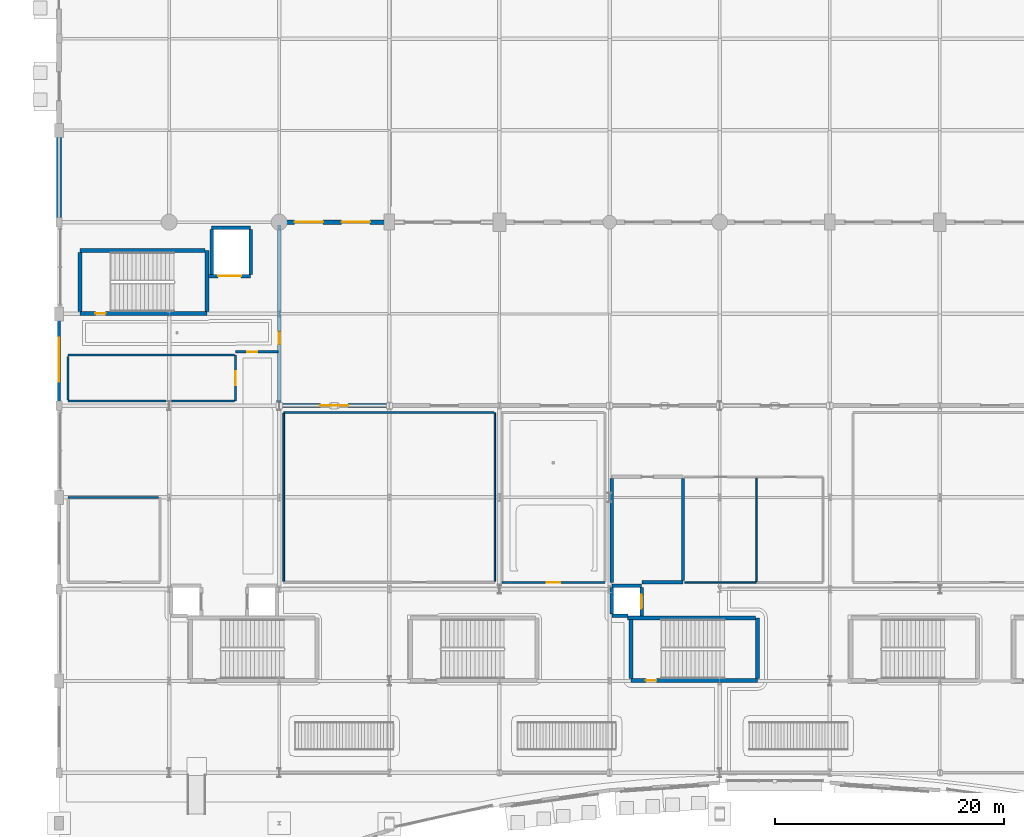
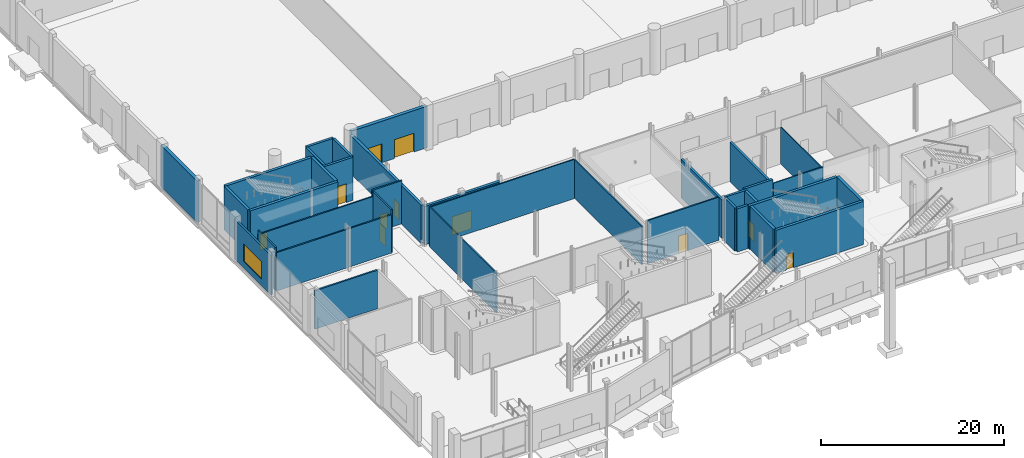
# One storey, part 73 of 124: 36 walls, 11 doors, 1 window, 12 openings.
"""IFC4 building model written with IfcOpenShell, lengths in metres."""

from ifc_helpers import new_model, si_unit, direction, frame, frame_2d, origin, place, context, subcontext, project, spatial, rectangle, extrude, material, layer, layer_set, type_object, element, fill, save


model = new_model("IFC4")

# Units and contexts
model_context = context("Model", 3, precision=1e-05, world=origin(), true_north=direction((0.0, 1.0)))
body_context = subcontext(model_context, "Body", "Model", "MODEL_VIEW")
ifc_project = project(units=[si_unit("LENGTHUNIT", "METRE"), si_unit("AREAUNIT", "SQUARE_METRE"), si_unit("VOLUMEUNIT", "CUBIC_METRE"), si_unit("PLANEANGLEUNIT", "RADIAN"), si_unit("MASSUNIT", "GRAM", prefix="KILO")], contexts=[model_context])

# Site, building, storey
site_placement = place(None, origin())
site = spatial("IfcSite", under=ifc_project, at=site_placement, CompositionType="ELEMENT")
building_placement = place(site_placement, origin())
building = spatial("IfcBuilding", under=site, at=building_placement, Name="Danafjord Basin Convention Centre", CompositionType="ELEMENT")
storey_placement = place(building_placement, origin())
storey = spatial("IfcBuildingStorey", under=building, at=storey_placement, Name="L00", CompositionType="ELEMENT", Elevation=0.0)

# Walls
ifc_material_1 = material(Name="Concrete C40/50", Category="concrete")
ifc_layer_1 = layer(ifc_material_1, 0.300048828125)
ifc_layer_set_1 = layer_set([ifc_layer_1], Name="Concrete C40/50")
wall_type_1 = type_object("IfcWallType", Name="WALL-CW-CORE300", PredefinedType="SHEAR", material=ifc_layer_set_1)
wall_1_placement = place(storey_placement, frame((50.800048828125, 24.300048828125, 0.0), z_axis=(0.0, 0.0, 1.0), x_axis=(-1.0, 0.0, 0.0)))
element("IfcWall", 1, at=wall_1_placement, inside=storey, type_object=wall_type_1, Name="Lift LF-P03 shaft shear wall", PredefinedType="SHEAR", context=body_context, shape_type="SweptSolid", body=[
    extrude(rectangle(XDim=2.60009765625, YDim=0.300048828125, at=frame_2d((1.300048828125, 0.0))), origin(), (0.0, 0.0, 1.0), 5.77001953125),
])
wall_2_placement = place(storey_placement, frame((48.199951171875, 21.699951171875, 0.0), z_axis=(0.0, 0.0, 1.0), x_axis=(1.0, 0.0, 0.0)))
element("IfcWall", 2, at=wall_2_placement, inside=storey, type_object=wall_type_1, Name="Lift LF-P03 shaft shear wall", PredefinedType="SHEAR", context=body_context, shape_type="SweptSolid", body=[
    extrude(rectangle(XDim=1.400146484375, YDim=0.300048828125, at=frame_2d((0.7001953125, 0.0))), origin(), (0.0, 0.0, 1.0), 5.77001953125),
])

# Wall, opening, door
wall_3_placement = place(storey_placement, frame((50.800048828125, 21.6650390625, 0.0), z_axis=(0.0, 0.0, 1.0), x_axis=(0.0, 1.0, 0.0)))
wall_3 = element("IfcWall", 3, at=wall_3_placement, inside=storey, type_object=wall_type_1, Name="Lift LF-P03 shaft shear wall", PredefinedType="SHEAR", context=body_context, shape_type="SweptSolid", body=[
    extrude(rectangle(XDim=2.5, YDim=0.300048828125, at=frame_2d((1.25, 0.0))), origin(), (0.0, 0.0, 1.0), 5.77001953125),
])
opening_1_placement = place(wall_3_placement, frame((0.64990234375, 0.0, 0.0)))
opening_1 = element("IfcOpeningElement", 4, at=opening_1_placement, cuts=wall_3, Name="Opening LD-P01", PredefinedType="OPENING", context=body_context, shape_type="SweptSolid", body=[
    extrude(rectangle(XDim=1.199951171875, YDim=2.199951171875, at=frame_2d((0.60009765625, 1.10009765625))), frame((0.0, 0.159912109375, 0.0), z_axis=(0.0, -1.0, 0.0), x_axis=(1.0, 0.0, 0.0)), (0.0, 0.0, 1.0), 0.320068359375),
])
ifc_material_2 = material(Name="Brushed stainless steel and acoustic laminated glass", Category="steel")
door_type_1 = type_object("IfcDoorType", Name="DOOR-LD-P01", OperationType="DOUBLE_DOOR_SLIDING", PredefinedType="DOOR", material=ifc_material_2)
door_1_placement = place(opening_1_placement, origin())
door_1 = element("IfcDoor", 5, at=door_1_placement, inside=storey, type_object=door_type_1, Name="Lift LF-P03 L00 Landing Door", OperationType="DOUBLE_DOOR_SLIDING", OverallHeight=2.199951171875, OverallWidth=1.199951171875, PredefinedType="DOOR", context=body_context, shape_type="SweptSolid", body=[
    extrude(rectangle(XDim=1.199951171875, YDim=2.199951171875, at=frame_2d((0.60009765625, 1.10009765625))), frame((0.0, 0.02490234375, 0.0), z_axis=(0.0, -1.0, 0.0), x_axis=(1.0, 0.0, 0.0)), (0.0, 0.0, 1.0), 0.050048828125),
])
fill(opening_1, door_1)

# Walls
wall_4_placement = place(storey_placement, frame((48.199951171875, 24.1650390625, 0.0), z_axis=(0.0, 0.0, 1.0), x_axis=(0.0, -1.0, 0.0)))
element("IfcWall", 6, at=wall_4_placement, inside=storey, type_object=wall_type_1, Name="Lift LF-P03 shaft shear wall", PredefinedType="SHEAR", context=body_context, shape_type="SweptSolid", body=[
    extrude(rectangle(XDim=2.330078125, YDim=0.300048828125, at=frame_2d((1.1650390625, 0.0))), origin(), (0.0, 0.0, 1.0), 5.77001953125),
])
wall_5_placement = place(storey_placement, frame((16.699951171875, 55.5, 0.0), z_axis=(0.0, 0.0, 1.0), x_axis=(-1.0, 0.0, 0.0)))
element("IfcWall", 7, at=wall_5_placement, inside=storey, type_object=wall_type_1, Name="Lift LF-G01 shaft shear wall", PredefinedType="SHEAR", context=body_context, shape_type="SweptSolid", body=[
    extrude(rectangle(XDim=3.39990234375, YDim=0.300048828125, at=frame_2d((1.699951171875, 0.0))), origin(), (0.0, 0.0, 1.0), 5.77001953125),
])

# Wall, opening, door
wall_6_placement = place(storey_placement, frame((13.044921875, 51.300048828125, 0.0), z_axis=(0.0, 0.0, 1.0), x_axis=(1.0, 0.0, 0.0)))
wall_6 = element("IfcWall", 8, at=wall_6_placement, inside=storey, type_object=wall_type_1, Name="Lift LF-G01 shaft shear wall", PredefinedType="SHEAR", context=body_context, shape_type="SweptSolid", body=[
    extrude(rectangle(XDim=3.655029296875, YDim=0.300048828125, at=frame_2d((1.82763671875, 0.0))), origin(), (0.0, 0.0, 1.0), 5.77001953125),
])
opening_2_placement = place(wall_6_placement, frame((0.826904296875, 0.0, 0.0)))
opening_2 = element("IfcOpeningElement", 9, at=opening_2_placement, cuts=wall_6, Name="Opening LD-G01", PredefinedType="OPENING", context=body_context, shape_type="SweptSolid", body=[
    extrude(rectangle(XDim=2.0, YDim=2.5, at=frame_2d((1.0, 1.25))), frame((0.0, 0.159912109375, 0.0), z_axis=(0.0, -1.0, 0.0), x_axis=(1.0, 0.0, 0.0)), (0.0, 0.0, 1.0), 0.320068359375),
])
door_type_2 = type_object("IfcDoorType", Name="DOOR-LD-G01", OperationType="DOUBLE_DOOR_SLIDING", PredefinedType="DOOR", material=ifc_material_2)
door_2_placement = place(opening_2_placement, origin())
door_2 = element("IfcDoor", 10, at=door_2_placement, inside=storey, type_object=door_type_2, Name="Lift LF-G01 L00 Landing Door", OperationType="DOUBLE_DOOR_SLIDING", OverallHeight=2.5, OverallWidth=2.0, PredefinedType="DOOR", context=body_context, shape_type="SweptSolid", body=[
    extrude(rectangle(XDim=2.0, YDim=2.5, at=frame_2d((1.0, 1.25))), frame((0.0, 0.02490234375, 0.0), z_axis=(0.0, -1.0, 0.0), x_axis=(1.0, 0.0, 0.0)), (0.0, 0.0, 1.0), 0.050048828125),
])
fill(opening_2, door_2)

# Walls
for number, where, z_axis, x_axis, name in (
    (11, (16.699951171875, 51.43505859375, 0.0), (0.0, 0.0, 1.0), (0.0, 1.0, 0.0), "Lift LF-G01 shaft shear wall"),
    (12, (13.300048828125, 55.364990234375, 0.0), (0.0, 0.0, 1.0), (0.0, -1.0, 0.0), "Lift LF-G01 shaft shear wall"),
):
    element("IfcWall", number, at=place(storey_placement, frame(where, z_axis=z_axis, x_axis=x_axis)), inside=storey, type_object=wall_type_1, Name=name, PredefinedType="SHEAR", context=body_context, shape_type="SweptSolid", body=[
        extrude(rectangle(XDim=3.929931640625, YDim=0.300048828125, at=frame_2d((1.96484375, 0.0))), origin(), (0.0, 0.0, 1.0), 5.77001953125),
    ])

# Wall, opening, door
ifc_material_3 = material(Name="Concrete C45/55", Category="concrete")
ifc_layer_2 = layer(ifc_material_3, 0.35009765625)
ifc_layer_set_2 = layer_set([ifc_layer_2], Name="Concrete C45/55")
wall_type_2 = type_object("IfcWallType", Name="WALL-CW-CORE350", PredefinedType="SHEAR", material=ifc_layer_set_2)
wall_7_placement = place(storey_placement, frame((60.889892578125, 16.050048828125, 0.0), z_axis=(0.0, 0.0, 1.0), x_axis=(-1.0, 0.0, 0.0)))
wall_7 = element("IfcWall", 13, at=wall_7_placement, inside=storey, type_object=wall_type_2, Name="Mid-Arc Meeting Core Stair 1 core shear wall (south)", PredefinedType="SHEAR", context=body_context, shape_type="SweptSolid", body=[
    extrude(rectangle(XDim=11.039794921875, YDim=0.35009765625, at=frame_2d((5.52001953125, 0.0))), origin(), (0.0, 0.0, 1.0), 5.77001953125),
])
opening_3_placement = place(wall_7_placement, frame((8.818115234375, 0.0, 0.0)))
opening_3 = element("IfcOpeningElement", 14, at=opening_3_placement, cuts=wall_7, Name="Opening FD-S01", PredefinedType="OPENING", context=body_context, shape_type="SweptSolid", body=[
    extrude(rectangle(XDim=0.909912109375, YDim=2.080078125, at=frame_2d((0.455078125, 1.0400390625))), frame((0.0, 0.18505859375, 0.0), z_axis=(0.0, -1.0, 0.0), x_axis=(1.0, 0.0, 0.0)), (0.0, 0.0, 1.0), 0.3701171875),
])
ifc_material_4 = material(Name="Powder-coated steel and Nordic oak", Category="steel")
door_type_3 = type_object("IfcDoorType", Name="DOOR-FD-S01", OperationType="NOTDEFINED", PredefinedType="DOOR", material=ifc_material_4)
door_3_placement = place(opening_3_placement, origin())
door_3 = element("IfcDoor", 15, at=door_3_placement, inside=storey, type_object=door_type_3, Name="Mid-Arc Meeting Core Stair 1 L00 Fire Exit Door", OperationType="SINGLE_SWING_RIGHT", OverallHeight=2.080078125, OverallWidth=0.909912109375, PredefinedType="DOOR", context=body_context, shape_type="SweptSolid", body=[
    extrude(rectangle(XDim=0.909912109375, YDim=2.080078125, at=frame_2d((0.455078125, 1.0400390625))), frame((0.0, 0.02490234375, 0.0), z_axis=(0.0, -1.0, 0.0), x_axis=(1.0, 0.0, 0.0)), (0.0, 0.0, 1.0), 0.050048828125),
])
fill(opening_3, door_3)

# Walls
wall_8_placement = place(storey_placement, frame((60.889892578125, 21.510009765625, 0.0), z_axis=(0.0, 0.0, 1.0), x_axis=(0.0, -1.0, 0.0)))
element("IfcWall", 16, at=wall_8_placement, inside=storey, type_object=wall_type_2, Name="Mid-Arc Meeting Core Stair 1 core shear wall (east)", PredefinedType="SHEAR", context=body_context, shape_type="SweptSolid", body=[
    extrude(rectangle(XDim=5.300048828125, YDim=0.35009765625, at=frame_2d((2.64990234375, 0.0))), origin(), (0.0, 0.0, 1.0), 5.77001953125),
])
wall_9_placement = place(storey_placement, frame((49.580078125, 21.510009765625, 0.0), z_axis=(0.0, 0.0, 1.0), x_axis=(1.0, 0.0, 0.0)))
element("IfcWall", 17, at=wall_9_placement, inside=storey, type_object=wall_type_2, Name="Mid-Arc Meeting Core Stair 1 core shear wall (north)", PredefinedType="SHEAR", context=body_context, shape_type="SweptSolid", body=[
    extrude(rectangle(XDim=11.14990234375, YDim=0.35009765625, at=frame_2d((5.574951171875, 0.0))), origin(), (0.0, 0.0, 1.0), 5.77001953125),
])
wall_10_placement = place(storey_placement, frame((49.85009765625, 16.2099609375, 0.0), z_axis=(0.0, 0.0, 1.0), x_axis=(0.0, 1.0, 0.0)))
element("IfcWall", 18, at=wall_10_placement, inside=storey, type_object=wall_type_2, Name="Mid-Arc Meeting Core Stair 1 core shear wall (west)", PredefinedType="SHEAR", context=body_context, shape_type="SweptSolid", body=[
    extrude(rectangle(XDim=5.14013671875, YDim=0.35009765625, at=frame_2d((2.570068359375, 0.0))), origin(), (0.0, 0.0, 1.0), 5.77001953125),
])

# Wall, opening, door
wall_11_placement = place(storey_placement, frame((12.889892578125, 48.050048828125, 0.0), z_axis=(0.0, 0.0, 1.0), x_axis=(-1.0, 0.0, 0.0)))
wall_11 = element("IfcWall", 19, at=wall_11_placement, inside=storey, type_object=wall_type_2, Name="West Exhibition Core Stair 1 core shear wall (south)", PredefinedType="SHEAR", context=body_context, shape_type="SweptSolid", body=[
    extrude(rectangle(XDim=11.039794921875, YDim=0.35009765625, at=frame_2d((5.52001953125, 0.0))), origin(), (0.0, 0.0, 1.0), 5.77001953125),
])
opening_4_placement = place(wall_11_placement, frame((8.818115234375, 0.0, 0.0)))
opening_4 = element("IfcOpeningElement", 20, at=opening_4_placement, cuts=wall_11, Name="Opening FD-S01", PredefinedType="OPENING", context=body_context, shape_type="SweptSolid", body=[
    extrude(rectangle(XDim=0.909912109375, YDim=2.080078125, at=frame_2d((0.455078125, 1.0400390625))), frame((0.0, 0.18505859375, 0.0), z_axis=(0.0, -1.0, 0.0), x_axis=(1.0, 0.0, 0.0)), (0.0, 0.0, 1.0), 0.3701171875),
])
door_4_placement = place(opening_4_placement, origin())
door_4 = element("IfcDoor", 21, at=door_4_placement, inside=storey, type_object=door_type_3, Name="West Exhibition Core Stair 1 L00 Fire Exit Door", OperationType="SINGLE_SWING_RIGHT", OverallHeight=2.080078125, OverallWidth=0.909912109375, PredefinedType="DOOR", context=body_context, shape_type="SweptSolid", body=[
    extrude(rectangle(XDim=0.909912109375, YDim=2.080078125, at=frame_2d((0.455078125, 1.0400390625))), frame((0.0, 0.02490234375, 0.0), z_axis=(0.0, -1.0, 0.0), x_axis=(1.0, 0.0, 0.0)), (0.0, 0.0, 1.0), 0.050048828125),
])
fill(opening_4, door_4)

# Walls
wall_12_placement = place(storey_placement, frame((12.889892578125, 53.510009765625, 0.0), z_axis=(0.0, 0.0, 1.0), x_axis=(0.0, -1.0, 0.0)))
element("IfcWall", 22, at=wall_12_placement, inside=storey, type_object=wall_type_2, Name="West Exhibition Core Stair 1 core shear wall (east)", PredefinedType="SHEAR", context=body_context, shape_type="SweptSolid", body=[
    extrude(rectangle(XDim=5.300048828125, YDim=0.35009765625, at=frame_2d((2.64990234375, 0.0))), origin(), (0.0, 0.0, 1.0), 5.77001953125),
])
wall_13_placement = place(storey_placement, frame((1.85009765625, 53.510009765625, 0.0), z_axis=(0.0, 0.0, 1.0), x_axis=(1.0, 0.0, 0.0)))
element("IfcWall", 23, at=wall_13_placement, inside=storey, type_object=wall_type_2, Name="West Exhibition Core Stair 1 core shear wall (north)", PredefinedType="SHEAR", context=body_context, shape_type="SweptSolid", body=[
    extrude(rectangle(XDim=10.8798828125, YDim=0.35009765625, at=frame_2d((5.43994140625, 0.0))), origin(), (0.0, 0.0, 1.0), 5.77001953125),
])
wall_14_placement = place(storey_placement, frame((1.85009765625, 48.2099609375, 0.0), z_axis=(0.0, 0.0, 1.0), x_axis=(0.0, 1.0, 0.0)))
element("IfcWall", 24, at=wall_14_placement, inside=storey, type_object=wall_type_2, Name="West Exhibition Core Stair 1 core shear wall (west)", PredefinedType="SHEAR", context=body_context, shape_type="SweptSolid", body=[
    extrude(rectangle(XDim=5.14013671875, YDim=0.35009765625, at=frame_2d((2.570068359375, 0.0))), origin(), (0.0, 0.0, 1.0), 5.77001953125),
])

# Wall, opening, door
ifc_material_5 = material(Name="Precast concrete C40/50", Category="concrete")
ifc_layer_3 = layer(ifc_material_5, 0.340087890625)
ifc_layer_set_3 = layer_set([ifc_layer_3], Name="Precast concrete C40/50")
wall_type_3 = type_object("IfcWallType", Name="WALL-EW-PC340", PredefinedType="SOLIDWALL", material=ifc_layer_set_3)
wall_15_placement = place(storey_placement, frame((19.199951171875, 40.0, 0.0), z_axis=(0.0, 0.0, 1.0), x_axis=(1.0, 0.0, 0.0)))
wall_15 = element("IfcWall", 25, at=wall_15_placement, inside=storey, type_object=wall_type_3, Name="L00 courtyard north facade wall", PredefinedType="SOLIDWALL", context=body_context, shape_type="SweptSolid", body=[
    extrude(rectangle(XDim=9.60009765625, YDim=0.340087890625, at=frame_2d((4.800048828125, 0.0))), origin(), (0.0, 0.0, 1.0), 5.139892578125),
])
opening_5_placement = place(wall_15_placement, frame((3.590087890625, 0.0, 0.0)))
opening_5 = element("IfcOpeningElement", 26, at=opening_5_placement, cuts=wall_15, Name="Opening ED-03", PredefinedType="OPENING", context=body_context, shape_type="SweptSolid", body=[
    extrude(rectangle(XDim=2.419921875, YDim=2.4599609375, at=frame_2d((1.2099609375, 1.22998046875))), frame((0.0, 0.179931640625, 0.0), z_axis=(0.0, -1.0, 0.0), x_axis=(1.0, 0.0, 0.0)), (0.0, 0.0, 1.0), 0.360107421875),
])
ifc_material_6 = material(Name="Thermally broken anodised aluminium and steel", Category="steel")
door_type_4 = type_object("IfcDoorType", Name="DOOR-ED-03", OperationType="DOUBLE_DOOR_SINGLE_SWING", PredefinedType="DOOR", material=ifc_material_6)
door_5_placement = place(opening_5_placement, origin())
door_5 = element("IfcDoor", 27, at=door_5_placement, inside=storey, type_object=door_type_4, Name="Courtyard Concourse Exit Door", OperationType="DOUBLE_DOOR_SINGLE_SWING", OverallHeight=2.4599609375, OverallWidth=2.419921875, PredefinedType="DOOR", context=body_context, shape_type="SweptSolid", body=[
    extrude(rectangle(XDim=2.419921875, YDim=2.4599609375, at=frame_2d((1.2099609375, 1.22998046875))), frame((0.0, 0.02490234375, 0.0), z_axis=(0.0, -1.0, 0.0), x_axis=(1.0, 0.0, 0.0)), (0.0, 0.0, 1.0), 0.050048828125),
])
fill(opening_5, door_5)

wall_16_placement = place(storey_placement, frame((19.199951171875, 55.75, 0.0), z_axis=(0.0, 0.0, 1.0), x_axis=(0.0, -1.0, 0.0)))
wall_16 = element("IfcWall", 28, at=wall_16_placement, inside=storey, type_object=wall_type_3, Name="L00 west courtyard facade exit wall", PredefinedType="SOLIDWALL", context=body_context, shape_type="SweptSolid", body=[
    extrude(rectangle(XDim=15.5, YDim=0.340087890625, at=frame_2d((7.75, 0.0))), origin(), (0.0, 0.0, 1.0), 5.139892578125),
])
opening_6_placement = place(wall_16_placement, frame((9.304931640625, 0.0, 0.0)))
opening_6 = element("IfcOpeningElement", 29, at=opening_6_placement, cuts=wall_16, Name="Opening ED-06", PredefinedType="OPENING", context=body_context, shape_type="SweptSolid", body=[
    extrude(rectangle(XDim=1.090087890625, YDim=2.219970703125, at=frame_2d((0.544921875, 1.10986328125))), frame((0.0, 0.179931640625, 0.0), z_axis=(0.0, -1.0, 0.0), x_axis=(1.0, 0.0, 0.0)), (0.0, 0.0, 1.0), 0.360107421875),
])
door_type_5 = type_object("IfcDoorType", Name="DOOR-ED-06", OperationType="SINGLE_SWING_LEFT", PredefinedType="DOOR", material=ifc_material_6)
door_6_placement = place(opening_6_placement, origin())
door_6 = element("IfcDoor", 30, at=door_6_placement, inside=storey, type_object=door_type_5, Name="West Core Stair Final Exit Door", OperationType="SINGLE_SWING_LEFT", OverallHeight=2.219970703125, OverallWidth=1.090087890625, PredefinedType="DOOR", context=body_context, shape_type="SweptSolid", body=[
    extrude(rectangle(XDim=1.090087890625, YDim=2.219970703125, at=frame_2d((0.544921875, 1.10986328125))), frame((0.0, 0.02490234375, 0.0), z_axis=(0.0, -1.0, 0.0), x_axis=(1.0, 0.0, 0.0)), (0.0, 0.0, 1.0), 0.050048828125),
])
fill(opening_6, door_6)

# Wall, openings, doors
ifc_material_7 = material(Name="Precast concrete C45/55", Category="concrete")
ifc_layer_4 = layer(ifc_material_7, 0.419921875)
ifc_layer_set_4 = layer_set([ifc_layer_4], Name="Precast concrete C45/55")
wall_type_4 = type_object("IfcWallType", Name="WALL-EW-PC420", PredefinedType="SOLIDWALL", material=ifc_layer_set_4)
wall_17_placement = place(storey_placement, frame((19.199951171875, 56.0, 0.0), z_axis=(0.0, 0.0, 1.0), x_axis=(1.0, 0.0, 0.0)))
wall_17 = element("IfcWall", 31, at=wall_17_placement, inside=storey, type_object=wall_type_4, Name="Exhibition hall S acoustic precast wall bay 3", PredefinedType="SOLIDWALL", context=body_context, shape_type="SweptSolid", body=[
    extrude(rectangle(XDim=9.60009765625, YDim=0.419921875, at=frame_2d((4.800048828125, 0.0))), origin(), (0.0, 0.0, 1.0), 5.550048828125),
])
opening_7_placement = place(wall_17_placement, frame((1.35009765625, 0.0, 0.0)))
opening_7 = element("IfcOpeningElement", 32, at=opening_7_placement, cuts=wall_17, Name="Opening ED-02", PredefinedType="OPENING", context=body_context, shape_type="SweptSolid", body=[
    extrude(rectangle(XDim=2.47998046875, YDim=2.52001953125, at=frame_2d((1.239990234375, 1.260009765625))), frame((0.0, 0.219970703125, 0.0), z_axis=(0.0, -1.0, 0.0), x_axis=(1.0, 0.0, 0.0)), (0.0, 0.0, 1.0), 0.43994140625),
])
opening_8_placement = place(wall_17_placement, frame((5.449951171875, 0.0, 0.0)))
opening_8 = element("IfcOpeningElement", 33, at=opening_8_placement, cuts=wall_17, Name="Opening ED-02", PredefinedType="OPENING", context=body_context, shape_type="SweptSolid", body=[
    extrude(rectangle(XDim=2.47998046875, YDim=2.52001953125, at=frame_2d((1.239990234375, 1.260009765625))), frame((0.0, 0.219970703125, 0.0), z_axis=(0.0, -1.0, 0.0), x_axis=(1.0, 0.0, 0.0)), (0.0, 0.0, 1.0), 0.43994140625),
])
door_type_6 = type_object("IfcDoorType", Name="DOOR-ED-02", OperationType="DOUBLE_DOOR_SINGLE_SWING", PredefinedType="DOOR", material=ifc_material_6)
door_7_placement = place(opening_7_placement, origin())
door_7 = element("IfcDoor", 34, at=door_7_placement, inside=storey, type_object=door_type_6, Name="Exhibition Hall Exit Door EX-04", OperationType="DOUBLE_DOOR_SINGLE_SWING", OverallHeight=2.52001953125, OverallWidth=2.47998046875, PredefinedType="DOOR", context=body_context, shape_type="SweptSolid", body=[
    extrude(rectangle(XDim=2.47998046875, YDim=2.52001953125, at=frame_2d((1.239990234375, 1.260009765625))), frame((0.0, 0.02490234375, 0.0), z_axis=(0.0, -1.0, 0.0), x_axis=(1.0, 0.0, 0.0)), (0.0, 0.0, 1.0), 0.050048828125),
])
fill(opening_7, door_7)
door_8_placement = place(opening_8_placement, origin())
door_8 = element("IfcDoor", 35, at=door_8_placement, inside=storey, type_object=door_type_6, Name="Exhibition Hall Exit Door EX-05", OperationType="DOUBLE_DOOR_SINGLE_SWING", OverallHeight=2.52001953125, OverallWidth=2.47998046875, PredefinedType="DOOR", context=body_context, shape_type="SweptSolid", body=[
    extrude(rectangle(XDim=2.47998046875, YDim=2.52001953125, at=frame_2d((1.239990234375, 1.260009765625))), frame((0.0, 0.02490234375, 0.0), z_axis=(0.0, -1.0, 0.0), x_axis=(1.0, 0.0, 0.0)), (0.0, 0.0, 1.0), 0.050048828125),
])
fill(opening_8, door_8)

# Wall
wall_18_placement = place(storey_placement, frame((0.0, 56.0, 0.0), z_axis=(0.0, 0.0, 1.0), x_axis=(0.0, 1.0, 0.0)))
element("IfcWall", 36, at=wall_18_placement, inside=storey, type_object=wall_type_4, Name="Exhibition hall W precast wall bay 1", PredefinedType="SOLIDWALL", context=body_context, shape_type="SweptSolid", body=[
    extrude(rectangle(XDim=8.0, YDim=0.419921875, at=frame_2d((4.0, 0.0))), origin(), (0.0, 0.0, 1.0), 5.550048828125),
])

# Wall, opening, window
ifc_material_8 = material(Name="Concrete C35/45", Category="concrete")
ifc_layer_5 = layer(ifc_material_8, 0.260009765625)
ifc_layer_set_5 = layer_set([ifc_layer_5], Name="Concrete C35/45")
wall_type_5 = type_object("IfcWallType", Name="WALL-EW-STD260", PredefinedType="STANDARD", material=ifc_layer_set_5)
wall_19_placement = place(storey_placement, frame((0.0, 40.0, 0.0), z_axis=(0.0, 0.0, 1.0), x_axis=(0.0, 1.0, 0.0)))
wall_19 = element("IfcWall", 37, at=wall_19_placement, inside=storey, type_object=wall_type_5, Name="L00 W wing facade wall", PredefinedType="STANDARD", context=body_context, shape_type="SweptSolid", body=[
    extrude(rectangle(XDim=8.0, YDim=0.260009765625, at=frame_2d((4.0, 0.0))), origin(), (0.0, 0.0, 1.0), 5.2900390625),
])
opening_9_placement = place(wall_19_placement, frame((2.074951171875, 0.0, 0.89990234375)))
opening_9 = element("IfcOpeningElement", 38, at=opening_9_placement, cuts=wall_19, Name="Opening WN-14", PredefinedType="OPENING", context=body_context, shape_type="SweptSolid", body=[
    extrude(rectangle(XDim=3.85009765625, YDim=2.35009765625, at=frame_2d((1.925048828125, 1.175048828125))), frame((0.0, 0.139892578125, 0.0), z_axis=(0.0, -1.0, 0.0), x_axis=(1.0, 0.0, 0.0)), (0.0, 0.0, 1.0), 0.280029296875),
])
ifc_material_9 = material(Name="Thermally broken aluminium and triple low-E glass", Category="aluminium")
window_type = type_object("IfcWindowType", Name="WIN-WN-14", PartitioningType="SINGLE_PANEL", PredefinedType="WINDOW", material=ifc_material_9)
window_placement = place(opening_9_placement, origin())
window = element("IfcWindow", 39, at=window_placement, inside=storey, type_object=window_type, Name="L00 W window WN-14", OverallHeight=2.35009765625, OverallWidth=3.85009765625, PartitioningType="SINGLE_PANEL", PredefinedType="WINDOW", context=body_context, shape_type="SweptSolid", body=[
    extrude(rectangle(XDim=3.85009765625, YDim=2.35009765625, at=frame_2d((1.925048828125, 1.175048828125))), frame((0.0, 0.030029296875, 0.0), z_axis=(0.0, -1.0, 0.0), x_axis=(1.0, 0.0, 0.0)), (0.0, 0.0, 1.0), 0.06005859375),
])
fill(opening_9, window)

# Wall, opening, door
ifc_material_10 = material(Name="Acoustic double-board gypsum stud partition")
ifc_layer_6 = layer(ifc_material_10, 0.175048828125)
ifc_layer_set_6 = layer_set([ifc_layer_6], Name="Acoustic double-board gypsum stud partition")
wall_type_6 = type_object("IfcWallType", Name="WALL-PT-AC175", PredefinedType="PARTITIONING", material=ifc_layer_set_6)
wall_20_placement = place(storey_placement, frame((38.60009765625, 24.60009765625, 0.0), z_axis=(0.0, 0.0, 1.0), x_axis=(1.0, 0.0, 0.0)))
wall_20 = element("IfcWall", 40, at=wall_20_placement, inside=storey, type_object=wall_type_6, Name="Harbour Seminar Hall M01 south partition", PredefinedType="PARTITIONING", context=body_context, shape_type="SweptSolid", body=[
    extrude(rectangle(XDim=9.0, YDim=0.175048828125, at=frame_2d((4.5, 0.0))), origin(), (0.0, 0.0, 1.0), 5.77001953125),
])
opening_10_placement = place(wall_20_placement, frame((3.919921875, 0.0, 0.0)))
opening_10 = element("IfcOpeningElement", 41, at=opening_10_placement, cuts=wall_20, Name="Opening FD-S17", PredefinedType="OPENING", context=body_context, shape_type="SweptSolid", body=[
    extrude(rectangle(XDim=1.159912109375, YDim=2.320068359375, at=frame_2d((0.580078125, 1.16015625))), frame((0.0, 0.097412109375, 0.0), z_axis=(0.0, -1.0, 0.0), x_axis=(1.0, 0.0, 0.0)), (0.0, 0.0, 1.0), 0.195068359375),
])
door_type_7 = type_object("IfcDoorType", Name="DOOR-FD-S17", OperationType="NOTDEFINED", PredefinedType="DOOR", material=ifc_material_4)
door_9_placement = place(opening_10_placement, origin())
door_9 = element("IfcDoor", 42, at=door_9_placement, inside=storey, type_object=door_type_7, Name="Harbour Seminar Hall M01 Entrance Door", OperationType="SINGLE_SWING_LEFT", OverallHeight=2.320068359375, OverallWidth=1.159912109375, PredefinedType="DOOR", context=body_context, shape_type="SweptSolid", body=[
    extrude(rectangle(XDim=1.159912109375, YDim=2.320068359375, at=frame_2d((0.580078125, 1.16015625))), frame((0.0, 0.02490234375, 0.0), z_axis=(0.0, -1.0, 0.0), x_axis=(1.0, 0.0, 0.0)), (0.0, 0.0, 1.0), 0.050048828125),
])
fill(opening_10, door_9)

wall_21_placement = place(storey_placement, frame((15.39990234375, 40.39990234375, 0.0), z_axis=(0.0, 0.0, 1.0), x_axis=(0.0, 1.0, 0.0)))
wall_21 = element("IfcWall", 43, at=wall_21_placement, inside=storey, type_object=wall_type_6, Name="West Courtyard Seminar Room M03 east partition", PredefinedType="PARTITIONING", context=body_context, shape_type="SweptSolid", body=[
    extrude(rectangle(XDim=4.0, YDim=0.175048828125, at=frame_2d((2.0, 0.0))), origin(), (0.0, 0.0, 1.0), 5.77001953125),
])
opening_11_placement = place(wall_21_placement, frame((1.375, 0.0, 0.0)))
opening_11 = element("IfcOpeningElement", 44, at=opening_11_placement, cuts=wall_21, Name="Opening FD-S20", PredefinedType="OPENING", context=body_context, shape_type="SweptSolid", body=[
    extrude(rectangle(XDim=1.25, YDim=2.3798828125, at=frame_2d((0.625, 1.18994140625))), frame((0.0, 0.097412109375, 0.0), z_axis=(0.0, -1.0, 0.0), x_axis=(1.0, 0.0, 0.0)), (0.0, 0.0, 1.0), 0.195068359375),
])
door_type_8 = type_object("IfcDoorType", Name="DOOR-FD-S20", OperationType="NOTDEFINED", PredefinedType="DOOR", material=ifc_material_4)
door_10_placement = place(opening_11_placement, origin())
door_10 = element("IfcDoor", 45, at=door_10_placement, inside=storey, type_object=door_type_8, Name="West Courtyard Seminar Room M03 Entrance Door", OperationType="SINGLE_SWING_RIGHT", OverallHeight=2.3798828125, OverallWidth=1.25, PredefinedType="DOOR", context=body_context, shape_type="SweptSolid", body=[
    extrude(rectangle(XDim=1.25, YDim=2.3798828125, at=frame_2d((0.625, 1.18994140625))), frame((0.0, 0.02490234375, 0.0), z_axis=(0.0, -1.0, 0.0), x_axis=(1.0, 0.0, 0.0)), (0.0, 0.0, 1.0), 0.050048828125),
])
fill(opening_11, door_10)

# Walls
for number, where, z_axis, x_axis, name in (
    (46, (0.800048828125, 40.39990234375, 0.0), (0.0, 0.0, 1.0), (1.0, 0.0, 0.0), "West Courtyard Seminar Room M03 south partition"),
    (47, (15.30859375, 44.39990234375, 0.0), (0.0, 0.0, 1.0), (-1.0, 0.0, 0.0), "West Courtyard Seminar Room M03 north partition"),
):
    element("IfcWall", number, at=place(storey_placement, frame(where, z_axis=z_axis, x_axis=x_axis)), inside=storey, type_object=wall_type_6, Name=name, PredefinedType="PARTITIONING", context=body_context, shape_type="SweptSolid", body=[
        extrude(rectangle(XDim=14.508544921875, YDim=0.175048828125, at=frame_2d((7.25439453125, 0.0))), origin(), (0.0, 0.0, 1.0), 5.139892578125),
    ])
wall_22_placement = place(storey_placement, frame((0.800048828125, 44.30859375, 0.0), z_axis=(0.0, 0.0, 1.0), x_axis=(0.0, -1.0, 0.0)))
element("IfcWall", 48, at=wall_22_placement, inside=storey, type_object=wall_type_6, Name="West Courtyard Seminar Room M03 west partition", PredefinedType="PARTITIONING", context=body_context, shape_type="SweptSolid", body=[
    extrude(rectangle(XDim=3.817138671875, YDim=0.175048828125, at=frame_2d((1.90869140625, 0.0))), origin(), (0.0, 0.0, 1.0), 5.77001953125),
])
ifc_material_11 = material(Name="Sanitary service-chase stud wall")
ifc_layer_7 = layer(ifc_material_11, 0.284912109375)
ifc_layer_set_7 = layer_set([ifc_layer_7], Name="Sanitary service-chase stud wall")
wall_type_7 = type_object("IfcWallType", Name="WALL-PT-PLB285", PredefinedType="PLUMBINGWALL", material=ifc_layer_set_7)
wall_23_placement = place(storey_placement, frame((50.80810546875, 24.60009765625, 0.0), z_axis=(0.0, 0.0, 1.0), x_axis=(1.0, 0.0, 0.0)))
element("IfcWall", 49, at=wall_23_placement, inside=storey, type_object=wall_type_7, Name="Ground Concourse Male Toilet south partition", PredefinedType="PLUMBINGWALL", context=body_context, shape_type="SweptSolid", body=[
    extrude(rectangle(XDim=3.591796875, YDim=0.284912109375, at=frame_2d((1.7958984375, 0.0))), origin(), (0.0, 0.0, 1.0), 5.77001953125),
])
wall_24_placement = place(storey_placement, frame((54.39990234375, 24.74658203125, 0.0), z_axis=(0.0, 0.0, 1.0), x_axis=(0.0, 1.0, 0.0)))
element("IfcWall", 50, at=wall_24_placement, inside=storey, type_object=wall_type_7, Name="Ground Concourse Male Toilet east partition", PredefinedType="PLUMBINGWALL", context=body_context, shape_type="SweptSolid", body=[
    extrude(rectangle(XDim=8.906982421875, YDim=0.284912109375, at=frame_2d((4.45361328125, 0.0))), origin(), (0.0, 0.0, 1.0), 5.239990234375),
])
wall_25_placement = place(storey_placement, frame((48.199951171875, 33.653564453125, 0.0), z_axis=(0.0, 0.0, 1.0), x_axis=(0.0, -1.0, 0.0)))
element("IfcWall", 51, at=wall_25_placement, inside=storey, type_object=wall_type_7, Name="Ground Concourse Male Toilet west partition", PredefinedType="PLUMBINGWALL", context=body_context, shape_type="SweptSolid", body=[
    extrude(rectangle(XDim=9.053466796875, YDim=0.284912109375, at=frame_2d((4.52685546875, 0.0))), origin(), (0.0, 0.0, 1.0), 5.139892578125),
])
ifc_material_12 = material(Name="Moisture-resistant gypsum stud partition")
ifc_layer_8 = layer(ifc_material_12, 0.1201171875)
ifc_layer_set_8 = layer_set([ifc_layer_8], Name="Moisture-resistant gypsum stud partition")
wall_type_8 = type_object("IfcWallType", Name="WALL-PT-ST120", PredefinedType="PARTITIONING", material=ifc_layer_set_8)
wall_26_placement = place(storey_placement, frame((54.54638671875, 24.60009765625, 0.0), z_axis=(0.0, 0.0, 1.0), x_axis=(1.0, 0.0, 0.0)))
element("IfcWall", 52, at=wall_26_placement, inside=storey, type_object=wall_type_8, Name="Ground Concourse Female Toilet south partition", PredefinedType="PARTITIONING", context=body_context, shape_type="SweptSolid", body=[
    extrude(rectangle(XDim=6.253662109375, YDim=0.1201171875, at=frame_2d((3.126953125, 0.0))), origin(), (0.0, 0.0, 1.0), 5.18994140625),
])
wall_27_placement = place(storey_placement, frame((60.800048828125, 24.6640625, 0.0), z_axis=(0.0, 0.0, 1.0), x_axis=(0.0, 1.0, 0.0)))
element("IfcWall", 53, at=wall_27_placement, inside=storey, type_object=wall_type_8, Name="Ground Concourse Female Toilet east partition", PredefinedType="PARTITIONING", context=body_context, shape_type="SweptSolid", body=[
    extrude(rectangle(XDim=9.072021484375, YDim=0.1201171875, at=frame_2d((4.5361328125, 0.0))), origin(), (0.0, 0.0, 1.0), 4.93994140625),
])
ifc_material_13 = material(Name="Fire-rated gypsum metal-stud partition")
ifc_layer_9 = layer(ifc_material_13, 0.14990234375)
ifc_layer_set_9 = layer_set([ifc_layer_9], Name="Fire-rated gypsum metal-stud partition")
wall_type_9 = type_object("IfcWallType", Name="WALL-PT-ST150", PredefinedType="PARTITIONING", material=ifc_layer_set_9)
wall_28_placement = place(storey_placement, frame((38.0, 24.678955078125, 0.0), z_axis=(0.0, 0.0, 1.0), x_axis=(0.0, 1.0, 0.0)))
element("IfcWall", 54, at=wall_28_placement, inside=storey, type_object=wall_type_9, Name="Press Accreditation and Media Suite east partition", PredefinedType="PARTITIONING", context=body_context, shape_type="SweptSolid", body=[
    extrude(rectangle(XDim=14.720947265625, YDim=0.14990234375, at=frame_2d((7.3603515625, 0.0))), origin(), (0.0, 0.0, 1.0), 5.139892578125),
])
wall_29_placement = place(storey_placement, frame((37.9208984375, 39.39990234375, 0.0), z_axis=(0.0, 0.0, 1.0), x_axis=(-1.0, 0.0, 0.0)))
element("IfcWall", 55, at=wall_29_placement, inside=storey, type_object=wall_type_9, Name="Press Accreditation and Media Suite north partition", PredefinedType="PARTITIONING", context=body_context, shape_type="SweptSolid", body=[
    extrude(rectangle(XDim=18.32080078125, YDim=0.14990234375, at=frame_2d((9.160400390625, 0.0))), origin(), (0.0, 0.0, 1.0), 5.239990234375),
])
wall_30_placement = place(storey_placement, frame((19.60009765625, 39.321044921875, 0.0), z_axis=(0.0, 0.0, 1.0), x_axis=(0.0, -1.0, 0.0)))
element("IfcWall", 56, at=wall_30_placement, inside=storey, type_object=wall_type_9, Name="Press Accreditation and Media Suite west partition", PredefinedType="PARTITIONING", context=body_context, shape_type="SweptSolid", body=[
    extrude(rectangle(XDim=14.64208984375, YDim=0.14990234375, at=frame_2d((7.321044921875, 0.0))), origin(), (0.0, 0.0, 1.0), 5.35009765625),
])
ifc_layer_10 = layer(ifc_material_8, 0.205078125)
ifc_layer_set_10 = layer_set([ifc_layer_10], Name="Concrete C35/45")
wall_type_10 = type_object("IfcWallType", Name="WALL-W-COMP205", PredefinedType="SOLIDWALL", material=ifc_layer_set_10)
wall_31_placement = place(storey_placement, frame((8.693603515625, 32.0, 0.0), z_axis=(0.0, 0.0, 1.0), x_axis=(-1.0, 0.0, 0.0)))
element("IfcWall", 57, at=wall_31_placement, inside=storey, type_object=wall_type_10, Name="Fire Command Room north partition", PredefinedType="SOLIDWALL", context=body_context, shape_type="SweptSolid", body=[
    extrude(rectangle(XDim=7.8935546875, YDim=0.205078125, at=frame_2d((3.94677734375, 0.0))), origin(), (0.0, 0.0, 1.0), 5.14990234375),
])

# Wall, opening, door
wall_32_placement = place(storey_placement, frame((15.39990234375, 44.699951171875, 0.0), z_axis=(0.0, 0.0, 1.0), x_axis=(1.0, 0.0, 0.0)))
wall_32 = element("IfcWall", 58, at=wall_32_placement, inside=storey, type_object=wall_type_10, Name="West Core Stair Protected Exit Passage south fire wall", PredefinedType="SOLIDWALL", context=body_context, shape_type="SweptSolid", body=[
    extrude(rectangle(XDim=3.75, YDim=0.205078125, at=frame_2d((1.875, 0.0))), origin(), (0.0, 0.0, 1.0), 5.77001953125),
])
opening_12_placement = place(wall_32_placement, frame((0.993896484375, 0.0, 0.0)))
opening_12 = element("IfcOpeningElement", 59, at=opening_12_placement, cuts=wall_32, Name="Opening FD-S01", PredefinedType="OPENING", context=body_context, shape_type="SweptSolid", body=[
    extrude(rectangle(XDim=0.909912109375, YDim=2.080078125, at=frame_2d((0.455078125, 1.0400390625))), frame((0.0, 0.112548828125, 0.0), z_axis=(0.0, -1.0, 0.0), x_axis=(1.0, 0.0, 0.0)), (0.0, 0.0, 1.0), 0.22509765625),
])
door_11_placement = place(opening_12_placement, origin())
door_11 = element("IfcDoor", 60, at=door_11_placement, inside=storey, type_object=door_type_3, Name="West Core Protected Exit Passage Fire Door", OperationType="SINGLE_SWING_LEFT", OverallHeight=2.080078125, OverallWidth=0.909912109375, PredefinedType="DOOR", context=body_context, shape_type="SweptSolid", body=[
    extrude(rectangle(XDim=0.909912109375, YDim=2.080078125, at=frame_2d((0.455078125, 1.0400390625))), frame((0.0, 0.02490234375, 0.0), z_axis=(0.0, -1.0, 0.0), x_axis=(1.0, 0.0, 0.0)), (0.0, 0.0, 1.0), 0.050048828125),
])
fill(opening_12, door_11)

save(model, "model.ifc")
